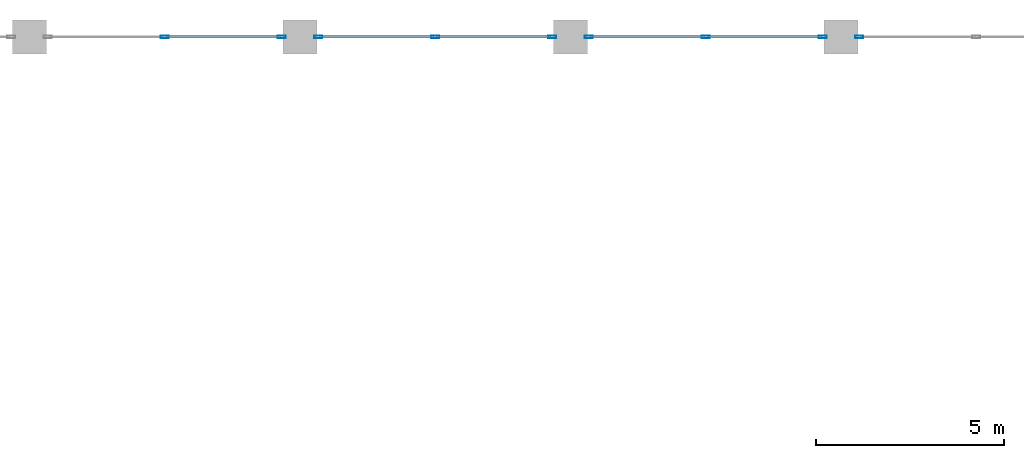
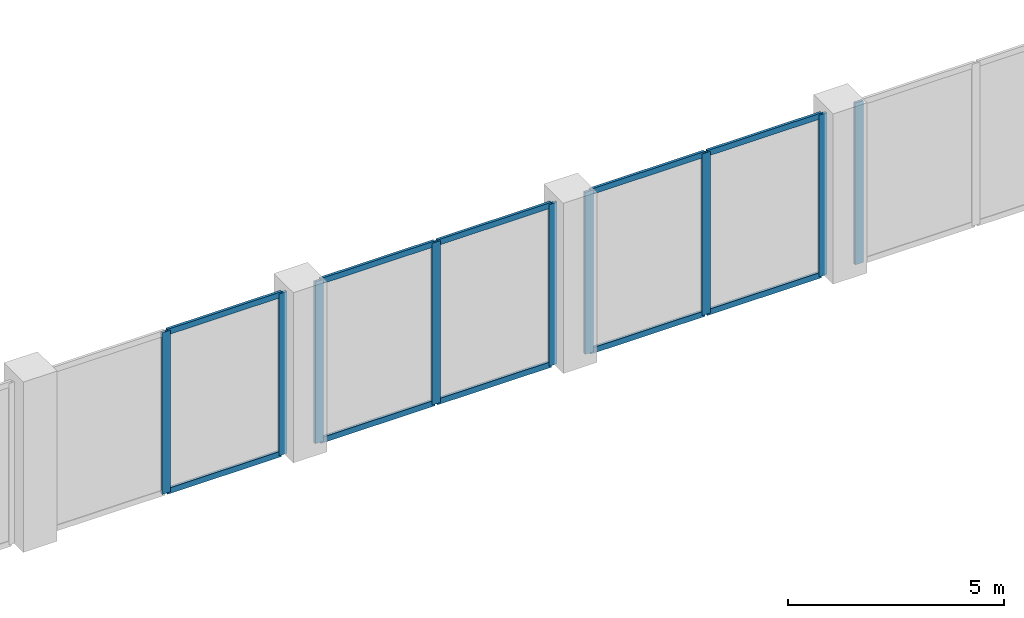
# One storey, part 51 of 120: 19 members, 4 elements without a shape of their own.
"""IFC4 building model written with IfcOpenShell, lengths in metres."""

from ifc_helpers import new_model, si_unit, direction, frame, origin, origin_2d, place, context, subcontext, project, spatial, hollow_rectangle, extrude, material, material_profile, profile_set, type_object, element, aggregate, save


model = new_model("IFC4")

# Units and contexts
model_context = context("Model", 3, precision=1e-05, world=origin(), true_north=direction((0.0, 1.0)))
body_context = subcontext(model_context, "Body", "Model", "MODEL_VIEW")
ifc_project = project(units=[si_unit("LENGTHUNIT", "METRE"), si_unit("AREAUNIT", "SQUARE_METRE"), si_unit("VOLUMEUNIT", "CUBIC_METRE"), si_unit("PLANEANGLEUNIT", "RADIAN"), si_unit("MASSUNIT", "GRAM", prefix="KILO")], contexts=[model_context])

# Site, building, storey
site_placement = place(None, origin())
site = spatial("IfcSite", under=ifc_project, at=site_placement, CompositionType="ELEMENT")
building_placement = place(site_placement, origin())
building = spatial("IfcBuilding", under=site, at=building_placement, Name="Vesperath Aquatics Centre", CompositionType="ELEMENT")
storey_placement = place(building_placement, frame((0.0, 0.0, 10.199951171875)))
storey = spatial("IfcBuildingStorey", under=building, at=storey_placement, Name="L02", CompositionType="ELEMENT", Elevation=10.199951171875)

# Curtain wall, members
ifc_material_1 = material(Name="Thermally broken anodised bronze aluminium curtain wall", Category="aluminium")
curtain_wall_type = type_object("IfcCurtainWallType", Name="CW-02", PredefinedType="NOTDEFINED", material=ifc_material_1)
curtain_wall_1_placement = place(storey_placement, origin())
curtain_wall_1 = element("IfcCurtainWall", 1, at=curtain_wall_1_placement, inside=storey, type_object=curtain_wall_type, Name="Facade Curtain Wall CW02 L02_N_04_16", PredefinedType="NOTDEFINED")
ifc_material_2 = material(Name="Thermally broken anodised aluminium", Category="aluminium")
ifc_material_profile_1 = material_profile(ifc_material_2, hollow_rectangle(XDim=0.070068359375, YDim=0.219970703125, WallThickness=0.0048828125, at=origin_2d()), Name="CWM 70x220x5")
ifc_profile_set_1 = profile_set([ifc_material_profile_1], Name="Thermally broken anodised aluminium")
member_type_1 = type_object("IfcMemberType", Name="MB-CWM2", PredefinedType="MULLION", material=ifc_profile_set_1)
member_1_placement = place(storey_placement, frame((32.39990234375, 115.199951171875, 0.0), z_axis=(0.0, 0.0, 1.0), x_axis=(0.0, 1.0, 0.0)))
member_1 = element("IfcMember", 2, at=member_1_placement, type_object=member_type_1, Name="CW02 mullion 2", PredefinedType="MULLION", context=body_context, shape_type="SweptSolid", body=[
    extrude(hollow_rectangle(XDim=0.070068359375, YDim=0.219970703125, WallThickness=0.0048828125, at=origin_2d()), origin(), (0.0, 0.0, 1.0), 4.56005859375),
])
member_2_placement = place(storey_placement, frame((35.514892578125, 115.199951171875, 0.0), z_axis=(0.0, 0.0, 1.0), x_axis=(0.0, 1.0, 0.0)))
member_2 = element("IfcMember", 3, at=member_2_placement, type_object=member_type_1, Name="CW02 mullion 3", PredefinedType="MULLION", context=body_context, shape_type="SweptSolid", body=[
    extrude(hollow_rectangle(XDim=0.070068359375, YDim=0.219970703125, WallThickness=0.0048828125, at=origin_2d()), origin(), (0.0, 0.0, 1.0), 4.56005859375),
])

curtain_wall_2_placement = place(storey_placement, origin())
curtain_wall_2 = element("IfcCurtainWall", 4, at=curtain_wall_2_placement, inside=storey, type_object=curtain_wall_type, Name="Facade Curtain Wall CW02 L02_N_05_16", PredefinedType="NOTDEFINED")
member_3_placement = place(storey_placement, frame((36.485107421875, 115.199951171875, 0.0), z_axis=(0.0, 0.0, 1.0), x_axis=(0.0, 1.0, 0.0)))
member_3 = element("IfcMember", 5, at=member_3_placement, type_object=member_type_1, Name="CW02 mullion 1", PredefinedType="MULLION", context=body_context, shape_type="SweptSolid", body=[
    extrude(hollow_rectangle(XDim=0.070068359375, YDim=0.219970703125, WallThickness=0.0048828125, at=origin_2d()), origin(), (0.0, 0.0, 1.0), 4.56005859375),
])
member_4_placement = place(storey_placement, frame((39.60009765625, 115.199951171875, 0.0), z_axis=(0.0, 0.0, 1.0), x_axis=(0.0, 1.0, 0.0)))
member_4 = element("IfcMember", 6, at=member_4_placement, type_object=member_type_1, Name="CW02 mullion 2", PredefinedType="MULLION", context=body_context, shape_type="SweptSolid", body=[
    extrude(hollow_rectangle(XDim=0.070068359375, YDim=0.219970703125, WallThickness=0.0048828125, at=origin_2d()), origin(), (0.0, 0.0, 1.0), 4.56005859375),
])
member_5_placement = place(storey_placement, frame((42.715087890625, 115.199951171875, 0.0), z_axis=(0.0, 0.0, 1.0), x_axis=(0.0, 1.0, 0.0)))
member_5 = element("IfcMember", 7, at=member_5_placement, type_object=member_type_1, Name="CW02 mullion 3", PredefinedType="MULLION", context=body_context, shape_type="SweptSolid", body=[
    extrude(hollow_rectangle(XDim=0.070068359375, YDim=0.219970703125, WallThickness=0.0048828125, at=origin_2d()), origin(), (0.0, 0.0, 1.0), 4.56005859375),
])

curtain_wall_3_placement = place(storey_placement, origin())
curtain_wall_3 = element("IfcCurtainWall", 8, at=curtain_wall_3_placement, inside=storey, type_object=curtain_wall_type, Name="Facade Curtain Wall CW02 L02_N_06_16", PredefinedType="NOTDEFINED")
member_6_placement = place(storey_placement, frame((43.68505859375, 115.199951171875, 0.0), z_axis=(0.0, 0.0, 1.0), x_axis=(0.0, 1.0, 0.0)))
member_6 = element("IfcMember", 9, at=member_6_placement, type_object=member_type_1, Name="CW02 mullion 1", PredefinedType="MULLION", context=body_context, shape_type="SweptSolid", body=[
    extrude(hollow_rectangle(XDim=0.070068359375, YDim=0.219970703125, WallThickness=0.0048828125, at=origin_2d()), origin(), (0.0, 0.0, 1.0), 4.56005859375),
])
member_7_placement = place(storey_placement, frame((46.800048828125, 115.199951171875, 0.0), z_axis=(0.0, 0.0, 1.0), x_axis=(0.0, 1.0, 0.0)))
member_7 = element("IfcMember", 10, at=member_7_placement, type_object=member_type_1, Name="CW02 mullion 2", PredefinedType="MULLION", context=body_context, shape_type="SweptSolid", body=[
    extrude(hollow_rectangle(XDim=0.070068359375, YDim=0.219970703125, WallThickness=0.0048828125, at=origin_2d()), origin(), (0.0, 0.0, 1.0), 4.56005859375),
])
member_8_placement = place(storey_placement, frame((49.9150390625, 115.199951171875, 0.0), z_axis=(0.0, 0.0, 1.0), x_axis=(0.0, 1.0, 0.0)))
member_8 = element("IfcMember", 11, at=member_8_placement, type_object=member_type_1, Name="CW02 mullion 3", PredefinedType="MULLION", context=body_context, shape_type="SweptSolid", body=[
    extrude(hollow_rectangle(XDim=0.070068359375, YDim=0.219970703125, WallThickness=0.0048828125, at=origin_2d()), origin(), (0.0, 0.0, 1.0), 4.56005859375),
])

# Curtain wall, member
curtain_wall_4_placement = place(storey_placement, origin())
curtain_wall_4 = element("IfcCurtainWall", 12, at=curtain_wall_4_placement, inside=storey, type_object=curtain_wall_type, Name="Facade Curtain Wall CW02 L02_N_07_16", PredefinedType="NOTDEFINED")
member_9_placement = place(storey_placement, frame((50.885009765625, 115.199951171875, 0.0), z_axis=(0.0, 0.0, 1.0), x_axis=(0.0, 1.0, 0.0)))
member_9 = element("IfcMember", 13, at=member_9_placement, type_object=member_type_1, Name="CW02 mullion 1", PredefinedType="MULLION", context=body_context, shape_type="SweptSolid", body=[
    extrude(hollow_rectangle(XDim=0.070068359375, YDim=0.219970703125, WallThickness=0.0048828125, at=origin_2d()), origin(), (0.0, 0.0, 1.0), 4.56005859375),
])
aggregate(curtain_wall_4, [member_9])

# Member
ifc_material_profile_2 = material_profile(ifc_material_2, hollow_rectangle(XDim=0.070068359375, YDim=0.159912109375, WallThickness=0.0048828125, at=origin_2d()), Name="CWT 70x160x5")
ifc_profile_set_2 = profile_set([ifc_material_profile_2], Name="Thermally broken anodised aluminium")
member_type_2 = type_object("IfcMemberType", Name="MB-CWT2", PredefinedType="USERDEFINED", material=ifc_profile_set_2)
member_10_placement = place(storey_placement, frame((32.43505859375, 115.199951171875, 0.03515625), z_axis=(1.0, 0.0, 0.0), x_axis=(0.0, 1.0, 0.0)))
member_10 = element("IfcMember", 14, at=member_10_placement, type_object=member_type_2, Name="CW02 transom 2.1", ObjectType="TRANSOM", PredefinedType="USERDEFINED", context=body_context, shape_type="SweptSolid", body=[
    extrude(hollow_rectangle(XDim=0.070068359375, YDim=0.159912109375, WallThickness=0.0048828125, at=origin_2d()), origin(), (0.0, 0.0, 1.0), 3.044921875),
])

member_11_placement = place(storey_placement, frame((32.43505859375, 115.199951171875, 4.525146484375), z_axis=(1.0, 0.0, 0.0), x_axis=(0.0, 1.0, 0.0)))
member_11 = element("IfcMember", 15, at=member_11_placement, type_object=member_type_2, Name="CW02 transom 2.2", ObjectType="TRANSOM", PredefinedType="USERDEFINED", context=body_context, shape_type="SweptSolid", body=[
    extrude(hollow_rectangle(XDim=0.070068359375, YDim=0.159912109375, WallThickness=0.0048828125, at=origin_2d()), origin(), (0.0, 0.0, 1.0), 3.044921875),
])

aggregate(curtain_wall_1, [member_1, member_2, member_10, member_11])

member_12_placement = place(storey_placement, frame((36.52001953125, 115.199951171875, 0.03515625), z_axis=(1.0, 0.0, 0.0), x_axis=(0.0, 1.0, 0.0)))
member_12 = element("IfcMember", 16, at=member_12_placement, type_object=member_type_2, Name="CW02 transom 1.1", ObjectType="TRANSOM", PredefinedType="USERDEFINED", context=body_context, shape_type="SweptSolid", body=[
    extrude(hollow_rectangle(XDim=0.070068359375, YDim=0.159912109375, WallThickness=0.0048828125, at=origin_2d()), origin(), (0.0, 0.0, 1.0), 3.044921875),
])

member_13_placement = place(storey_placement, frame((36.52001953125, 115.199951171875, 4.525146484375), z_axis=(1.0, 0.0, 0.0), x_axis=(0.0, 1.0, 0.0)))
member_13 = element("IfcMember", 17, at=member_13_placement, type_object=member_type_2, Name="CW02 transom 1.2", ObjectType="TRANSOM", PredefinedType="USERDEFINED", context=body_context, shape_type="SweptSolid", body=[
    extrude(hollow_rectangle(XDim=0.070068359375, YDim=0.159912109375, WallThickness=0.0048828125, at=origin_2d()), origin(), (0.0, 0.0, 1.0), 3.044921875),
])

member_14_placement = place(storey_placement, frame((39.635009765625, 115.199951171875, 0.03515625), z_axis=(1.0, 0.0, 0.0), x_axis=(0.0, 1.0, 0.0)))
member_14 = element("IfcMember", 18, at=member_14_placement, type_object=member_type_2, Name="CW02 transom 2.1", ObjectType="TRANSOM", PredefinedType="USERDEFINED", context=body_context, shape_type="SweptSolid", body=[
    extrude(hollow_rectangle(XDim=0.070068359375, YDim=0.159912109375, WallThickness=0.0048828125, at=origin_2d()), origin(), (0.0, 0.0, 1.0), 3.044921875),
])

member_15_placement = place(storey_placement, frame((39.635009765625, 115.199951171875, 4.525146484375), z_axis=(1.0, 0.0, 0.0), x_axis=(0.0, 1.0, 0.0)))
member_15 = element("IfcMember", 19, at=member_15_placement, type_object=member_type_2, Name="CW02 transom 2.2", ObjectType="TRANSOM", PredefinedType="USERDEFINED", context=body_context, shape_type="SweptSolid", body=[
    extrude(hollow_rectangle(XDim=0.070068359375, YDim=0.159912109375, WallThickness=0.0048828125, at=origin_2d()), origin(), (0.0, 0.0, 1.0), 3.044921875),
])

aggregate(curtain_wall_2, [member_3, member_4, member_5, member_12, member_13, member_14, member_15])

member_16_placement = place(storey_placement, frame((43.719970703125, 115.199951171875, 0.03515625), z_axis=(1.0, 0.0, 0.0), x_axis=(0.0, 1.0, 0.0)))
member_16 = element("IfcMember", 20, at=member_16_placement, type_object=member_type_2, Name="CW02 transom 1.1", ObjectType="TRANSOM", PredefinedType="USERDEFINED", context=body_context, shape_type="SweptSolid", body=[
    extrude(hollow_rectangle(XDim=0.070068359375, YDim=0.159912109375, WallThickness=0.0048828125, at=origin_2d()), origin(), (0.0, 0.0, 1.0), 3.044921875),
])

member_17_placement = place(storey_placement, frame((43.719970703125, 115.199951171875, 4.525146484375), z_axis=(1.0, 0.0, 0.0), x_axis=(0.0, 1.0, 0.0)))
member_17 = element("IfcMember", 21, at=member_17_placement, type_object=member_type_2, Name="CW02 transom 1.2", ObjectType="TRANSOM", PredefinedType="USERDEFINED", context=body_context, shape_type="SweptSolid", body=[
    extrude(hollow_rectangle(XDim=0.070068359375, YDim=0.159912109375, WallThickness=0.0048828125, at=origin_2d()), origin(), (0.0, 0.0, 1.0), 3.044921875),
])

member_18_placement = place(storey_placement, frame((46.8349609375, 115.199951171875, 0.03515625), z_axis=(1.0, 0.0, 0.0), x_axis=(0.0, 1.0, 0.0)))
member_18 = element("IfcMember", 22, at=member_18_placement, type_object=member_type_2, Name="CW02 transom 2.1", ObjectType="TRANSOM", PredefinedType="USERDEFINED", context=body_context, shape_type="SweptSolid", body=[
    extrude(hollow_rectangle(XDim=0.070068359375, YDim=0.159912109375, WallThickness=0.0048828125, at=origin_2d()), origin(), (0.0, 0.0, 1.0), 3.044921875),
])

member_19_placement = place(storey_placement, frame((46.8349609375, 115.199951171875, 4.525146484375), z_axis=(1.0, 0.0, 0.0), x_axis=(0.0, 1.0, 0.0)))
member_19 = element("IfcMember", 23, at=member_19_placement, type_object=member_type_2, Name="CW02 transom 2.2", ObjectType="TRANSOM", PredefinedType="USERDEFINED", context=body_context, shape_type="SweptSolid", body=[
    extrude(hollow_rectangle(XDim=0.070068359375, YDim=0.159912109375, WallThickness=0.0048828125, at=origin_2d()), origin(), (0.0, 0.0, 1.0), 3.044921875),
])

aggregate(curtain_wall_3, [member_6, member_7, member_8, member_16, member_17, member_18, member_19])

save(model, "model.ifc")
